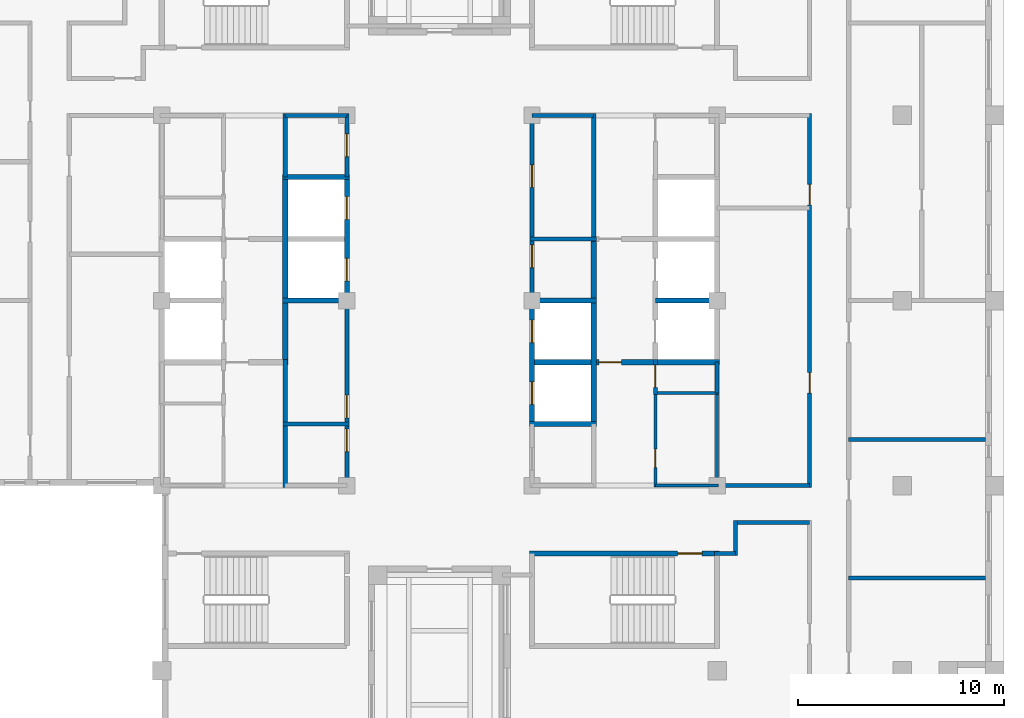
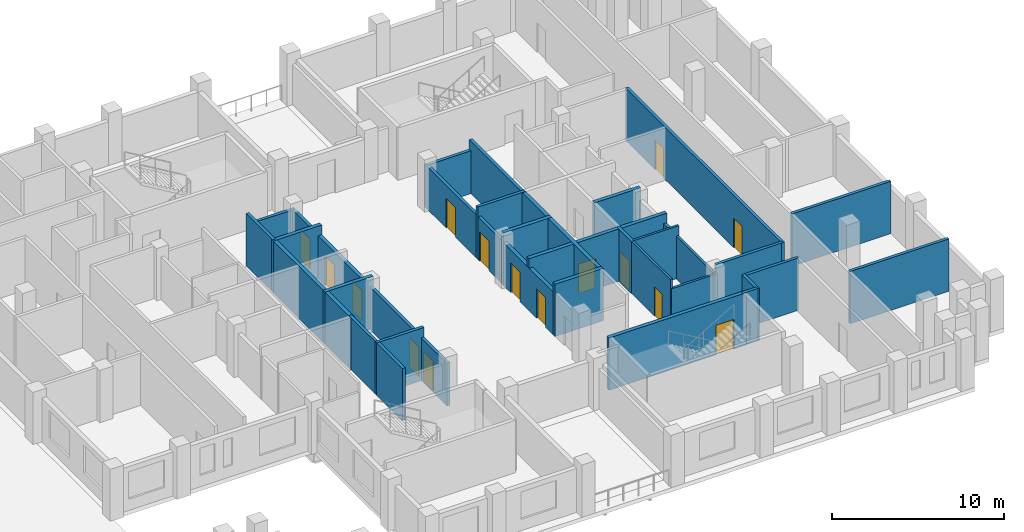
# One storey, part 4 of 10: 34 walls, 15 doors, 15 openings.
"""IFC4 building model written with IfcOpenShell, lengths in metres."""

from ifc_helpers import new_model, si_unit, direction, frame, frame_2d, origin, place, context, subcontext, project, spatial, rectangle, extrude, material, layer, layer_set, type_object, element, fill, save


model = new_model("IFC4")

# Units and contexts
model_context = context("Model", 3, precision=1e-05, world=origin(), true_north=direction((0.0, 1.0)))
body_context = subcontext(model_context, "Body", "Model", "MODEL_VIEW")
ifc_project = project(units=[si_unit("LENGTHUNIT", "METRE"), si_unit("AREAUNIT", "SQUARE_METRE"), si_unit("VOLUMEUNIT", "CUBIC_METRE"), si_unit("PLANEANGLEUNIT", "RADIAN"), si_unit("MASSUNIT", "GRAM", prefix="KILO")], contexts=[model_context])

# Site, building, storey
site_placement = place(None, origin())
site = spatial("IfcSite", under=ifc_project, at=site_placement, CompositionType="ELEMENT")
building_placement = place(site_placement, origin())
building = spatial("IfcBuilding", under=site, at=building_placement, Name="Corbelhall Arena Tower", CompositionType="ELEMENT")
storey_placement = place(building_placement, frame((0.0, 0.0, 242.0)))
storey = spatial("IfcBuildingStorey", under=building, at=storey_placement, Name="L51", CompositionType="ELEMENT", Elevation=242.0)

# Walls
ifc_material_1 = material(Name="Gypsum board on steel stud, acoustic", Category="steel")
ifc_layer_1 = layer(ifc_material_1, 0.199951171875)
ifc_layer_set_1 = layer_set([ifc_layer_1], Name="IN-W-DM200")
wall_type_1 = type_object("IfcWallType", Name="IN-W-DM200", PredefinedType="PARTITIONING", material=ifc_layer_set_1)
wall_1_placement = place(storey_placement, frame((13.5, -9.0, 0.0), z_axis=(0.0, 0.0, 1.0), x_axis=(1.0, 0.0, 0.0)))
element("IfcWall", 1, at=wall_1_placement, inside=storey, type_object=wall_type_1, Name="Partition 022", PredefinedType="PARTITIONING", context=body_context, shape_type="SweptSolid", body=[
    extrude(rectangle(XDim=4.5, YDim=0.199951171875, at=frame_2d((2.25, 0.0))), origin(), (0.0, 0.0, 1.0), 3.719970703125),
])
wall_2_placement = place(storey_placement, frame((14.39990234375, -12.300048828125, 0.0), z_axis=(0.0, 0.0, 1.0), x_axis=(-1.0, 0.0, 0.0)))
element("IfcWall", 2, at=wall_2_placement, inside=storey, type_object=wall_type_1, Name="Partition 024", PredefinedType="PARTITIONING", context=body_context, shape_type="SweptSolid", body=[
    extrude(rectangle(XDim=1.02490234375, YDim=0.199951171875, at=frame_2d((0.512451171875, 0.0))), origin(), (0.0, 0.0, 1.0), 3.719970703125),
])
wall_3_placement = place(storey_placement, frame((14.39990234375, -10.699951171875, 0.0), z_axis=(0.0, 0.0, 1.0), x_axis=(0.0, -1.0, 0.0)))
element("IfcWall", 3, at=wall_3_placement, inside=storey, type_object=wall_type_1, Name="Partition 025", PredefinedType="PARTITIONING", context=body_context, shape_type="SweptSolid", body=[
    extrude(rectangle(XDim=1.699951171875, YDim=0.199951171875, at=frame_2d((0.85009765625, 0.0))), origin(), (0.0, 0.0, 1.0), 3.719970703125),
])
wall_4_placement = place(storey_placement, frame((18.0, -10.800048828125, 0.0), z_axis=(0.0, 0.0, 1.0), x_axis=(-1.0, 0.0, 0.0)))
element("IfcWall", 4, at=wall_4_placement, inside=storey, type_object=wall_type_1, Name="Partition 030", PredefinedType="PARTITIONING", context=body_context, shape_type="SweptSolid", body=[
    extrude(rectangle(XDim=3.60009765625, YDim=0.199951171875, at=frame_2d((1.800048828125, 0.0))), origin(), (0.0, 0.0, 1.0), 3.719970703125),
])

# Wall, openings, doors
wall_5_placement = place(storey_placement, frame((18.0, -9.10009765625, 0.0), z_axis=(0.0, 0.0, 1.0), x_axis=(0.0, 1.0, 0.0)))
wall_5 = element("IfcWall", 5, at=wall_5_placement, inside=storey, type_object=wall_type_1, Name="Partition 031", PredefinedType="PARTITIONING", context=body_context, shape_type="SweptSolid", body=[
    extrude(rectangle(XDim=18.2001953125, YDim=0.199951171875, at=frame_2d((9.10009765625, 0.0))), origin(), (0.0, 0.0, 1.0), 3.719970703125),
])
opening_1_placement = place(wall_5_placement, frame((4.60009765625, 0.0, 0.0)))
opening_1 = element("IfcOpeningElement", 6, at=opening_1_placement, cuts=wall_5, Name="Opening 16023", PredefinedType="OPENING", context=body_context, shape_type="SweptSolid", body=[
    extrude(rectangle(XDim=1.0, YDim=2.10009765625, at=frame_2d((0.5, 1.050048828125))), frame((0.0, 0.10009765625, 0.0), z_axis=(0.0, -1.0, 0.0), x_axis=(1.0, 0.0, 0.0)), (0.0, 0.0, 1.0), 0.199951171875),
])
opening_2_placement = place(wall_5_placement, frame((13.75, 0.0, 0.0)))
opening_2 = element("IfcOpeningElement", 7, at=opening_2_placement, cuts=wall_5, Name="Opening 16024", PredefinedType="OPENING", context=body_context, shape_type="SweptSolid", body=[
    extrude(rectangle(XDim=1.0, YDim=2.10009765625, at=frame_2d((0.5, 1.050048828125))), frame((0.0, 0.10009765625, 0.0), z_axis=(0.0, -1.0, 0.0), x_axis=(1.0, 0.0, 0.0)), (0.0, 0.0, 1.0), 0.199951171875),
])
ifc_material_2 = material(Name="Steel door set", Category="steel")
door_type_1 = type_object("IfcDoorType", Name="IN-D-SW100", OperationType="NOTDEFINED", PredefinedType="DOOR", material=ifc_material_2)
door_1_placement = place(opening_1_placement, origin())
door_1 = element("IfcDoor", 8, at=door_1_placement, inside=storey, type_object=door_type_1, Name="Door 023", OperationType="SINGLE_SWING_RIGHT", OverallHeight=2.10009765625, OverallWidth=1.0, PredefinedType="DOOR", context=body_context, shape_type="SweptSolid", body=[
    extrude(rectangle(XDim=1.0, YDim=2.10009765625, at=frame_2d((0.5, 1.050048828125))), frame((0.0, 0.02490234375, 0.0), z_axis=(0.0, -1.0, 0.0), x_axis=(1.0, 0.0, 0.0)), (0.0, 0.0, 1.0), 0.050048828125),
])
fill(opening_1, door_1)
door_2_placement = place(opening_2_placement, origin())
door_2 = element("IfcDoor", 9, at=door_2_placement, inside=storey, type_object=door_type_1, Name="Door 024", OperationType="SINGLE_SWING_LEFT", OverallHeight=2.10009765625, OverallWidth=1.0, PredefinedType="DOOR", context=body_context, shape_type="SweptSolid", body=[
    extrude(rectangle(XDim=1.0, YDim=2.10009765625, at=frame_2d((0.5, 1.050048828125))), frame((0.0, 0.02490234375, 0.0), z_axis=(0.0, -1.0, 0.0), x_axis=(1.0, 0.0, 0.0)), (0.0, 0.0, 1.0), 0.050048828125),
])
fill(opening_2, door_2)

# Walls
for number, where, z_axis, x_axis, name in (
    (10, (19.89990234375, -13.5, 0.0), (0.0, 0.0, 1.0), (1.0, 0.0, 0.0), "Partition 033"),
    (11, (19.89990234375, -6.75, 0.0), (0.0, 0.0, 1.0), (1.0, 0.0, 0.0), "Partition 035"),
):
    element("IfcWall", number, at=place(storey_placement, frame(where, z_axis=z_axis, x_axis=x_axis)), inside=storey, type_object=wall_type_1, Name=name, PredefinedType="PARTITIONING", context=body_context, shape_type="SweptSolid", body=[
        extrude(rectangle(XDim=6.650146484375, YDim=0.199951171875, at=frame_2d((3.3251953125, 0.0))), origin(), (0.0, 0.0, 1.0), 3.719970703125),
    ])
ifc_material_3 = material(Name="Concrete block wall", Category="concrete")
ifc_layer_2 = layer(ifc_material_3, 0.199951171875)
ifc_layer_set_2 = layer_set([ifc_layer_2], Name="IN-W-RS200")
wall_type_2 = type_object("IfcWallType", Name="IN-W-RS200", PredefinedType="SOLIDWALL", material=ifc_layer_set_2)
wall_6_placement = place(storey_placement, frame((-7.60009765625, -6.0, 0.0), z_axis=(0.0, 0.0, 1.0), x_axis=(1.0, 0.0, 0.0)))
element("IfcWall", 12, at=wall_6_placement, inside=storey, type_object=wall_type_2, Name="Partition 044", PredefinedType="SOLIDWALL", context=body_context, shape_type="SweptSolid", body=[
    extrude(rectangle(XDim=3.2001953125, YDim=0.199951171875, at=frame_2d((1.60009765625, 0.0))), origin(), (0.0, 0.0, 1.0), 3.719970703125),
])
wall_7_placement = place(storey_placement, frame((-7.5, -9.10009765625, 0.0), z_axis=(0.0, 0.0, 1.0), x_axis=(0.0, 1.0, 0.0)))
element("IfcWall", 13, at=wall_7_placement, inside=storey, type_object=wall_type_2, Name="Partition 045", PredefinedType="SOLIDWALL", context=body_context, shape_type="SweptSolid", body=[
    extrude(rectangle(XDim=6.22509765625, YDim=0.199951171875, at=frame_2d((3.112548828125, 0.0))), origin(), (0.0, 0.0, 1.0), 3.719970703125),
])
wall_8_placement = place(storey_placement, frame((-7.5, 6.0, 0.0), z_axis=(0.0, 0.0, 1.0), x_axis=(0.0, 1.0, 0.0)))
element("IfcWall", 14, at=wall_8_placement, inside=storey, type_object=wall_type_2, Name="Partition 046", PredefinedType="SOLIDWALL", context=body_context, shape_type="SweptSolid", body=[
    extrude(rectangle(XDim=3.10009765625, YDim=0.199951171875, at=frame_2d((1.550048828125, 0.0))), origin(), (0.0, 0.0, 1.0), 3.719970703125),
])
wall_9_placement = place(storey_placement, frame((4.39990234375, 3.0, 0.0), z_axis=(0.0, 0.0, 1.0), x_axis=(1.0, 0.0, 0.0)))
element("IfcWall", 15, at=wall_9_placement, inside=storey, type_object=wall_type_2, Name="Partition 051", PredefinedType="SOLIDWALL", context=body_context, shape_type="SweptSolid", body=[
    extrude(rectangle(XDim=3.22509765625, YDim=0.199951171875, at=frame_2d((1.612548828125, 0.0))), origin(), (0.0, 0.0, 1.0), 3.719970703125),
])
wall_10_placement = place(storey_placement, frame((7.5, 9.10009765625, 0.0), z_axis=(0.0, 0.0, 1.0), x_axis=(0.0, -1.0, 0.0)))
element("IfcWall", 16, at=wall_10_placement, inside=storey, type_object=wall_type_2, Name="Partition 057", PredefinedType="SOLIDWALL", context=body_context, shape_type="SweptSolid", body=[
    extrude(rectangle(XDim=6.22509765625, YDim=0.199951171875, at=frame_2d((3.112548828125, 0.0))), origin(), (0.0, 0.0, 1.0), 3.719970703125),
])

# Wall, opening, door
wall_11_placement = place(storey_placement, frame((10.5, -2.875, 0.0), z_axis=(0.0, 0.0, 1.0), x_axis=(0.0, -1.0, 0.0)))
wall_11 = element("IfcWall", 17, at=wall_11_placement, inside=storey, type_object=wall_type_2, Name="Partition 058", PredefinedType="SOLIDWALL", context=body_context, shape_type="SweptSolid", body=[
    extrude(rectangle(XDim=1.699951171875, YDim=0.199951171875, at=frame_2d((0.85009765625, 0.0))), origin(), (0.0, 0.0, 1.0), 3.719970703125),
])
opening_3_placement = place(wall_11_placement, frame((0.25, 0.0, 0.0)))
opening_3 = element("IfcOpeningElement", 18, at=opening_3_placement, cuts=wall_11, Name="Opening 16015", PredefinedType="OPENING", context=body_context, shape_type="SweptSolid", body=[
    extrude(rectangle(XDim=1.10009765625, YDim=2.10009765625, at=frame_2d((0.550048828125, 1.050048828125))), frame((0.0, 0.10009765625, 0.0), z_axis=(0.0, -1.0, 0.0), x_axis=(1.0, 0.0, 0.0)), (0.0, 0.0, 1.0), 0.199951171875),
])
door_type_2 = type_object("IfcDoorType", Name="IN-D-FD110", OperationType="NOTDEFINED", PredefinedType="DOOR", material=ifc_material_2)
door_3_placement = place(opening_3_placement, origin())
door_3 = element("IfcDoor", 19, at=door_3_placement, inside=storey, type_object=door_type_2, Name="Door 015", OperationType="SINGLE_SWING_RIGHT", OverallHeight=2.10009765625, OverallWidth=1.10009765625, PredefinedType="DOOR", context=body_context, shape_type="SweptSolid", body=[
    extrude(rectangle(XDim=1.10009765625, YDim=2.10009765625, at=frame_2d((0.550048828125, 1.050048828125))), frame((0.0, 0.02490234375, 0.0), z_axis=(0.0, -1.0, 0.0), x_axis=(1.0, 0.0, 0.0)), (0.0, 0.0, 1.0), 0.050048828125),
])
fill(opening_3, door_3)

# Wall
ifc_layer_3 = layer(ifc_material_3, 0.199951171875)
ifc_layer_set_3 = layer_set([ifc_layer_3], Name="IN-W-RS200 under beam 678 mm")
wall_type_3 = type_object("IfcWallType", Name="IN-W-RS200 under beam 678 mm", PredefinedType="SOLIDWALL", material=ifc_layer_set_3)
wall_12_placement = place(storey_placement, frame((-7.5, 9.0, 0.0), z_axis=(0.0, 0.0, 1.0), x_axis=(1.0, 0.0, 0.0)))
element("IfcWall", 20, at=wall_12_placement, inside=storey, type_object=wall_type_3, Name="Partition 047", PredefinedType="SOLIDWALL", context=body_context, shape_type="SweptSolid", body=[
    extrude(rectangle(XDim=3.0, YDim=0.199951171875, at=frame_2d((1.5, 0.0))), origin(), (0.0, 0.0, 1.0), 3.041748046875),
])

# Wall, openings, doors
wall_13_placement = place(storey_placement, frame((-4.5, 0.0, 0.0), z_axis=(0.0, 0.0, 1.0), x_axis=(0.0, -1.0, 0.0)))
wall_13 = element("IfcWall", 21, at=wall_13_placement, inside=storey, type_object=wall_type_3, Name="Partition 049", PredefinedType="SOLIDWALL", context=body_context, shape_type="SweptSolid", body=[
    extrude(rectangle(XDim=9.10009765625, YDim=0.199951171875, at=frame_2d((4.550048828125, 0.0))), origin(), (0.0, 0.0, 1.0), 3.041748046875),
])
opening_4_placement = place(wall_13_placement, frame((6.25, 0.0, 0.0)))
opening_4 = element("IfcOpeningElement", 22, at=opening_4_placement, cuts=wall_13, Name="Opening 16001", PredefinedType="OPENING", context=body_context, shape_type="SweptSolid", body=[
    extrude(rectangle(XDim=1.10009765625, YDim=2.10009765625, at=frame_2d((0.550048828125, 1.050048828125))), frame((0.0, 0.10009765625, 0.0), z_axis=(0.0, -1.0, 0.0), x_axis=(1.0, 0.0, 0.0)), (0.0, 0.0, 1.0), 0.199951171875),
])
opening_5_placement = place(wall_13_placement, frame((4.60009765625, 0.0, 0.0)))
opening_5 = element("IfcOpeningElement", 23, at=opening_5_placement, cuts=wall_13, Name="Opening 16002", PredefinedType="OPENING", context=body_context, shape_type="SweptSolid", body=[
    extrude(rectangle(XDim=1.10009765625, YDim=2.10009765625, at=frame_2d((0.550048828125, 1.050048828125))), frame((0.0, 0.10009765625, 0.0), z_axis=(0.0, -1.0, 0.0), x_axis=(1.0, 0.0, 0.0)), (0.0, 0.0, 1.0), 0.199951171875),
])
door_4_placement = place(opening_4_placement, origin())
door_4 = element("IfcDoor", 24, at=door_4_placement, inside=storey, type_object=door_type_2, Name="Door 001", OperationType="SINGLE_SWING_RIGHT", OverallHeight=2.10009765625, OverallWidth=1.10009765625, PredefinedType="DOOR", context=body_context, shape_type="SweptSolid", body=[
    extrude(rectangle(XDim=1.10009765625, YDim=2.10009765625, at=frame_2d((0.550048828125, 1.050048828125))), frame((0.0, 0.02490234375, 0.0), z_axis=(0.0, -1.0, 0.0), x_axis=(1.0, 0.0, 0.0)), (0.0, 0.0, 1.0), 0.050048828125),
])
fill(opening_4, door_4)
door_5_placement = place(opening_5_placement, origin())
door_5 = element("IfcDoor", 25, at=door_5_placement, inside=storey, type_object=door_type_2, Name="Door 002", OperationType="SINGLE_SWING_LEFT", OverallHeight=2.10009765625, OverallWidth=1.10009765625, PredefinedType="DOOR", context=body_context, shape_type="SweptSolid", body=[
    extrude(rectangle(XDim=1.10009765625, YDim=2.10009765625, at=frame_2d((0.550048828125, 1.050048828125))), frame((0.0, 0.02490234375, 0.0), z_axis=(0.0, -1.0, 0.0), x_axis=(1.0, 0.0, 0.0)), (0.0, 0.0, 1.0), 0.050048828125),
])
fill(opening_5, door_5)

# Wall, opening, door
wall_14_placement = place(storey_placement, frame((-4.5, 9.10009765625, 0.0), z_axis=(0.0, 0.0, 1.0), x_axis=(0.0, -1.0, 0.0)))
wall_14 = element("IfcWall", 26, at=wall_14_placement, inside=storey, type_object=wall_type_3, Name="Partition 050", PredefinedType="SOLIDWALL", context=body_context, shape_type="SweptSolid", body=[
    extrude(rectangle(XDim=3.10009765625, YDim=0.199951171875, at=frame_2d((1.550048828125, 0.0))), origin(), (0.0, 0.0, 1.0), 3.041748046875),
])
opening_6_placement = place(wall_14_placement, frame((1.0, 0.0, 0.0)))
opening_6 = element("IfcOpeningElement", 27, at=opening_6_placement, cuts=wall_14, Name="Opening 16003", PredefinedType="OPENING", context=body_context, shape_type="SweptSolid", body=[
    extrude(rectangle(XDim=1.10009765625, YDim=2.10009765625, at=frame_2d((0.550048828125, 1.050048828125))), frame((0.0, 0.10009765625, 0.0), z_axis=(0.0, -1.0, 0.0), x_axis=(1.0, 0.0, 0.0)), (0.0, 0.0, 1.0), 0.199951171875),
])
door_6_placement = place(opening_6_placement, origin())
door_6 = element("IfcDoor", 28, at=door_6_placement, inside=storey, type_object=door_type_2, Name="Door 003", OperationType="SINGLE_SWING_RIGHT", OverallHeight=2.10009765625, OverallWidth=1.10009765625, PredefinedType="DOOR", context=body_context, shape_type="SweptSolid", body=[
    extrude(rectangle(XDim=1.10009765625, YDim=2.10009765625, at=frame_2d((0.550048828125, 1.050048828125))), frame((0.0, 0.02490234375, 0.0), z_axis=(0.0, -1.0, 0.0), x_axis=(1.0, 0.0, 0.0)), (0.0, 0.0, 1.0), 0.050048828125),
])
fill(opening_6, door_6)

# Wall, openings, doors
wall_15_placement = place(storey_placement, frame((4.5, 0.0, 0.0), z_axis=(0.0, 0.0, 1.0), x_axis=(0.0, 1.0, 0.0)))
wall_15 = element("IfcWall", 29, at=wall_15_placement, inside=storey, type_object=wall_type_3, Name="Partition 053", PredefinedType="SOLIDWALL", context=body_context, shape_type="SweptSolid", body=[
    extrude(rectangle(XDim=9.10009765625, YDim=0.199951171875, at=frame_2d((4.550048828125, 0.0))), origin(), (0.0, 0.0, 1.0), 3.041748046875),
])
opening_7_placement = place(wall_15_placement, frame((1.60009765625, 0.0, 0.0)))
opening_7 = element("IfcOpeningElement", 30, at=opening_7_placement, cuts=wall_15, Name="Opening 16010", PredefinedType="OPENING", context=body_context, shape_type="SweptSolid", body=[
    extrude(rectangle(XDim=1.10009765625, YDim=2.10009765625, at=frame_2d((0.550048828125, 1.050048828125))), frame((0.0, 0.10009765625, 0.0), z_axis=(0.0, -1.0, 0.0), x_axis=(1.0, 0.0, 0.0)), (0.0, 0.0, 1.0), 0.199951171875),
])
opening_8_placement = place(wall_15_placement, frame((5.5, 0.0, 0.0)))
opening_8 = element("IfcOpeningElement", 31, at=opening_8_placement, cuts=wall_15, Name="Opening 16011", PredefinedType="OPENING", context=body_context, shape_type="SweptSolid", body=[
    extrude(rectangle(XDim=1.10009765625, YDim=2.10009765625, at=frame_2d((0.550048828125, 1.050048828125))), frame((0.0, 0.10009765625, 0.0), z_axis=(0.0, -1.0, 0.0), x_axis=(1.0, 0.0, 0.0)), (0.0, 0.0, 1.0), 0.199951171875),
])
door_7_placement = place(opening_7_placement, origin())
door_7 = element("IfcDoor", 32, at=door_7_placement, inside=storey, type_object=door_type_2, Name="Door 010", OperationType="SINGLE_SWING_LEFT", OverallHeight=2.10009765625, OverallWidth=1.10009765625, PredefinedType="DOOR", context=body_context, shape_type="SweptSolid", body=[
    extrude(rectangle(XDim=1.10009765625, YDim=2.10009765625, at=frame_2d((0.550048828125, 1.050048828125))), frame((0.0, 0.02490234375, 0.0), z_axis=(0.0, -1.0, 0.0), x_axis=(1.0, 0.0, 0.0)), (0.0, 0.0, 1.0), 0.050048828125),
])
fill(opening_7, door_7)
door_8_placement = place(opening_8_placement, origin())
door_8 = element("IfcDoor", 33, at=door_8_placement, inside=storey, type_object=door_type_2, Name="Door 011", OperationType="SINGLE_SWING_RIGHT", OverallHeight=2.10009765625, OverallWidth=1.10009765625, PredefinedType="DOOR", context=body_context, shape_type="SweptSolid", body=[
    extrude(rectangle(XDim=1.10009765625, YDim=2.10009765625, at=frame_2d((0.550048828125, 1.050048828125))), frame((0.0, 0.02490234375, 0.0), z_axis=(0.0, -1.0, 0.0), x_axis=(1.0, 0.0, 0.0)), (0.0, 0.0, 1.0), 0.050048828125),
])
fill(opening_8, door_8)

# Walls
wall_16_placement = place(storey_placement, frame((4.5, 9.0, 0.0), z_axis=(0.0, 0.0, 1.0), x_axis=(1.0, 0.0, 0.0)))
element("IfcWall", 34, at=wall_16_placement, inside=storey, type_object=wall_type_3, Name="Partition 054", PredefinedType="SOLIDWALL", context=body_context, shape_type="SweptSolid", body=[
    extrude(rectangle(XDim=3.0, YDim=0.199951171875, at=frame_2d((1.5, 0.0))), origin(), (0.0, 0.0, 1.0), 3.041748046875),
])
wall_17_placement = place(storey_placement, frame((13.5, -3.0, 0.0), z_axis=(0.0, 0.0, 1.0), x_axis=(0.0, -1.0, 0.0)))
element("IfcWall", 35, at=wall_17_placement, inside=storey, type_object=wall_type_3, Name="Partition 061", PredefinedType="SOLIDWALL", context=body_context, shape_type="SweptSolid", body=[
    extrude(rectangle(XDim=1.5, YDim=0.199951171875, at=frame_2d((0.75, 0.0))), origin(), (0.0, 0.0, 1.0), 3.041748046875),
])
ifc_material_4 = material(Name="Concrete C40/50", Category="concrete")
ifc_layer_4 = layer(ifc_material_4, 0.25)
ifc_layer_set_4 = layer_set([ifc_layer_4], Name="IN-W-SH250")
wall_type_4 = type_object("IfcWallType", Name="IN-W-SH250", PredefinedType="SOLIDWALL", material=ifc_layer_set_4)
for number, where, z_axis, x_axis, name in (
    (36, (-7.625, 0.0, 0.0), (0.0, 0.0, 1.0), (1.0, 0.0, 0.0), "Shaft wall 068"),
    (37, (-7.625, 6.0, 0.0), (0.0, 0.0, 1.0), (1.0, 0.0, 0.0), "Shaft wall 069"),
):
    element("IfcWall", number, at=place(storey_placement, frame(where, z_axis=z_axis, x_axis=x_axis)), inside=storey, type_object=wall_type_4, Name=name, PredefinedType="SOLIDWALL", context=body_context, shape_type="SweptSolid", body=[
        extrude(rectangle(XDim=3.25, YDim=0.25, at=frame_2d((1.625, 0.0))), origin(), (0.0, 0.0, 1.0), 3.719970703125),
    ])
wall_18_placement = place(storey_placement, frame((-7.5, -3.125, 0.0), z_axis=(0.0, 0.0, 1.0), x_axis=(0.0, 1.0, 0.0)))
element("IfcWall", 38, at=wall_18_placement, inside=storey, type_object=wall_type_4, Name="Shaft wall 070", PredefinedType="SOLIDWALL", context=body_context, shape_type="SweptSolid", body=[
    extrude(rectangle(XDim=9.125, YDim=0.25, at=frame_2d((4.5625, 0.0))), origin(), (0.0, 0.0, 1.0), 3.719970703125),
])
wall_19_placement = place(storey_placement, frame((4.375, -6.0, 0.0), z_axis=(0.0, 0.0, 1.0), x_axis=(1.0, 0.0, 0.0)))
element("IfcWall", 39, at=wall_19_placement, inside=storey, type_object=wall_type_4, Name="Shaft wall 072", PredefinedType="SOLIDWALL", context=body_context, shape_type="SweptSolid", body=[
    extrude(rectangle(XDim=3.25, YDim=0.25, at=frame_2d((1.625, 0.0))), origin(), (0.0, 0.0, 1.0), 3.719970703125),
])

# Wall, opening, door
wall_20_placement = place(storey_placement, frame((4.375, -3.0, 0.0), z_axis=(0.0, 0.0, 1.0), x_axis=(1.0, 0.0, 0.0)))
wall_20 = element("IfcWall", 40, at=wall_20_placement, inside=storey, type_object=wall_type_4, Name="Shaft wall 073", PredefinedType="SOLIDWALL", context=body_context, shape_type="SweptSolid", body=[
    extrude(rectangle(XDim=9.25, YDim=0.25, at=frame_2d((4.625, 0.0))), origin(), (0.0, 0.0, 1.0), 3.719970703125),
])
opening_9_placement = place(wall_20_placement, frame((3.375, 0.0, 0.0)))
opening_9 = element("IfcOpeningElement", 41, at=opening_9_placement, cuts=wall_20, Name="Opening 16012", PredefinedType="OPENING", context=body_context, shape_type="SweptSolid", body=[
    extrude(rectangle(XDim=1.10009765625, YDim=2.10009765625, at=frame_2d((0.550048828125, 1.050048828125))), frame((0.0, 0.125, 0.0), z_axis=(0.0, -1.0, 0.0), x_axis=(1.0, 0.0, 0.0)), (0.0, 0.0, 1.0), 0.25),
])
door_9_placement = place(opening_9_placement, origin())
door_9 = element("IfcDoor", 42, at=door_9_placement, inside=storey, type_object=door_type_2, Name="Door 012", OperationType="SINGLE_SWING_LEFT", OverallHeight=2.10009765625, OverallWidth=1.10009765625, PredefinedType="DOOR", context=body_context, shape_type="SweptSolid", body=[
    extrude(rectangle(XDim=1.10009765625, YDim=2.10009765625, at=frame_2d((0.550048828125, 1.050048828125))), frame((0.0, 0.02490234375, 0.0), z_axis=(0.0, -1.0, 0.0), x_axis=(1.0, 0.0, 0.0)), (0.0, 0.0, 1.0), 0.050048828125),
])
fill(opening_9, door_9)

# Walls
wall_21_placement = place(storey_placement, frame((4.375, 0.0, 0.0), z_axis=(0.0, 0.0, 1.0), x_axis=(1.0, 0.0, 0.0)))
element("IfcWall", 43, at=wall_21_placement, inside=storey, type_object=wall_type_4, Name="Shaft wall 074", PredefinedType="SOLIDWALL", context=body_context, shape_type="SweptSolid", body=[
    extrude(rectangle(XDim=3.25, YDim=0.25, at=frame_2d((1.625, 0.0))), origin(), (0.0, 0.0, 1.0), 3.719970703125),
])
wall_22_placement = place(storey_placement, frame((7.5, 3.125, 0.0), z_axis=(0.0, 0.0, 1.0), x_axis=(0.0, -1.0, 0.0)))
element("IfcWall", 44, at=wall_22_placement, inside=storey, type_object=wall_type_4, Name="Shaft wall 076", PredefinedType="SOLIDWALL", context=body_context, shape_type="SweptSolid", body=[
    extrude(rectangle(XDim=9.125, YDim=0.25, at=frame_2d((4.5625, 0.0))), origin(), (0.0, 0.0, 1.0), 3.719970703125),
])
wall_23_placement = place(storey_placement, frame((10.5, 0.0, 0.0), z_axis=(0.0, 0.0, 1.0), x_axis=(1.0, 0.0, 0.0)))
element("IfcWall", 45, at=wall_23_placement, inside=storey, type_object=wall_type_4, Name="Shaft wall 078", PredefinedType="SOLIDWALL", context=body_context, shape_type="SweptSolid", body=[
    extrude(rectangle(XDim=3.125, YDim=0.25, at=frame_2d((1.5625, 0.0))), origin(), (0.0, 0.0, 1.0), 3.719970703125),
])

# Wall, openings, doors
ifc_layer_5 = layer(ifc_material_4, 0.25)
ifc_layer_set_5 = layer_set([ifc_layer_5], Name="IN-W-SH250 under beam 678 mm")
wall_type_5 = type_object("IfcWallType", Name="IN-W-SH250 under beam 678 mm", PredefinedType="SOLIDWALL", material=ifc_layer_set_5)
wall_24_placement = place(storey_placement, frame((-4.5, 6.0, 0.0), z_axis=(0.0, 0.0, 1.0), x_axis=(0.0, -1.0, 0.0)))
wall_24 = element("IfcWall", 46, at=wall_24_placement, inside=storey, type_object=wall_type_5, Name="Shaft wall 071", PredefinedType="SOLIDWALL", context=body_context, shape_type="SweptSolid", body=[
    extrude(rectangle(XDim=6.0, YDim=0.25, at=frame_2d((3.0, 0.0))), origin(), (0.0, 0.0, 1.0), 3.041748046875),
])
opening_10_placement = place(wall_24_placement, frame((3.949951171875, 0.0, 0.0)))
opening_10 = element("IfcOpeningElement", 47, at=opening_10_placement, cuts=wall_24, Name="Opening LD", PredefinedType="OPENING", context=body_context, shape_type="SweptSolid", body=[
    extrude(rectangle(XDim=1.10009765625, YDim=2.10009765625, at=frame_2d((0.550048828125, 1.050048828125))), frame((0.0, 0.125, 0.0), z_axis=(0.0, -1.0, 0.0), x_axis=(1.0, 0.0, 0.0)), (0.0, 0.0, 1.0), 0.25),
])
opening_11_placement = place(wall_24_placement, frame((0.949951171875, 0.0, 0.0)))
opening_11 = element("IfcOpeningElement", 48, at=opening_11_placement, cuts=wall_24, Name="Opening LD", PredefinedType="OPENING", context=body_context, shape_type="SweptSolid", body=[
    extrude(rectangle(XDim=1.10009765625, YDim=2.10009765625, at=frame_2d((0.550048828125, 1.050048828125))), frame((0.0, 0.125, 0.0), z_axis=(0.0, -1.0, 0.0), x_axis=(1.0, 0.0, 0.0)), (0.0, 0.0, 1.0), 0.25),
])
door_type_3 = type_object("IfcDoorType", Name="IN-D-LD110", OperationType="NOTDEFINED", PredefinedType="DOOR", material=ifc_material_2)
door_10_placement = place(opening_10_placement, origin())
door_10 = element("IfcDoor", 49, at=door_10_placement, inside=storey, type_object=door_type_3, Name="Landing door W4", OperationType="SLIDING_TO_LEFT", OverallHeight=2.10009765625, OverallWidth=1.10009765625, PredefinedType="DOOR", context=body_context, shape_type="SweptSolid", body=[
    extrude(rectangle(XDim=1.10009765625, YDim=2.10009765625, at=frame_2d((0.550048828125, 1.050048828125))), frame((0.0, 0.02490234375, 0.0), z_axis=(0.0, -1.0, 0.0), x_axis=(1.0, 0.0, 0.0)), (0.0, 0.0, 1.0), 0.050048828125),
])
fill(opening_10, door_10)
door_11_placement = place(opening_11_placement, origin())
door_11 = element("IfcDoor", 50, at=door_11_placement, inside=storey, type_object=door_type_3, Name="Landing door W5", OperationType="SLIDING_TO_LEFT", OverallHeight=2.10009765625, OverallWidth=1.10009765625, PredefinedType="DOOR", context=body_context, shape_type="SweptSolid", body=[
    extrude(rectangle(XDim=1.10009765625, YDim=2.10009765625, at=frame_2d((0.550048828125, 1.050048828125))), frame((0.0, 0.02490234375, 0.0), z_axis=(0.0, -1.0, 0.0), x_axis=(1.0, 0.0, 0.0)), (0.0, 0.0, 1.0), 0.050048828125),
])
fill(opening_11, door_11)

wall_25_placement = place(storey_placement, frame((4.5, -6.0, 0.0), z_axis=(0.0, 0.0, 1.0), x_axis=(0.0, 1.0, 0.0)))
wall_25 = element("IfcWall", 51, at=wall_25_placement, inside=storey, type_object=wall_type_5, Name="Shaft wall 075", PredefinedType="SOLIDWALL", context=body_context, shape_type="SweptSolid", body=[
    extrude(rectangle(XDim=6.0, YDim=0.25, at=frame_2d((3.0, 0.0))), origin(), (0.0, 0.0, 1.0), 3.041748046875),
])
opening_12_placement = place(wall_25_placement, frame((0.949951171875, 0.0, 0.0)))
opening_12 = element("IfcOpeningElement", 52, at=opening_12_placement, cuts=wall_25, Name="Opening LD", PredefinedType="OPENING", context=body_context, shape_type="SweptSolid", body=[
    extrude(rectangle(XDim=1.10009765625, YDim=2.10009765625, at=frame_2d((0.550048828125, 1.050048828125))), frame((0.0, 0.125, 0.0), z_axis=(0.0, -1.0, 0.0), x_axis=(1.0, 0.0, 0.0)), (0.0, 0.0, 1.0), 0.25),
])
opening_13_placement = place(wall_25_placement, frame((3.949951171875, 0.0, 0.0)))
opening_13 = element("IfcOpeningElement", 53, at=opening_13_placement, cuts=wall_25, Name="Opening LD", PredefinedType="OPENING", context=body_context, shape_type="SweptSolid", body=[
    extrude(rectangle(XDim=1.10009765625, YDim=2.10009765625, at=frame_2d((0.550048828125, 1.050048828125))), frame((0.0, 0.125, 0.0), z_axis=(0.0, -1.0, 0.0), x_axis=(1.0, 0.0, 0.0)), (0.0, 0.0, 1.0), 0.25),
])
door_12_placement = place(opening_12_placement, origin())
door_12 = element("IfcDoor", 54, at=door_12_placement, inside=storey, type_object=door_type_3, Name="Landing door E2", OperationType="SLIDING_TO_LEFT", OverallHeight=2.10009765625, OverallWidth=1.10009765625, PredefinedType="DOOR", context=body_context, shape_type="SweptSolid", body=[
    extrude(rectangle(XDim=1.10009765625, YDim=2.10009765625, at=frame_2d((0.550048828125, 1.050048828125))), frame((0.0, 0.02490234375, 0.0), z_axis=(0.0, -1.0, 0.0), x_axis=(1.0, 0.0, 0.0)), (0.0, 0.0, 1.0), 0.050048828125),
])
fill(opening_12, door_12)
door_13_placement = place(opening_13_placement, origin())
door_13 = element("IfcDoor", 55, at=door_13_placement, inside=storey, type_object=door_type_3, Name="Landing door E3", OperationType="SLIDING_TO_LEFT", OverallHeight=2.10009765625, OverallWidth=1.10009765625, PredefinedType="DOOR", context=body_context, shape_type="SweptSolid", body=[
    extrude(rectangle(XDim=1.10009765625, YDim=2.10009765625, at=frame_2d((0.550048828125, 1.050048828125))), frame((0.0, 0.02490234375, 0.0), z_axis=(0.0, -1.0, 0.0), x_axis=(1.0, 0.0, 0.0)), (0.0, 0.0, 1.0), 0.050048828125),
])
fill(opening_13, door_13)

# Wall, opening, door
ifc_layer_6 = layer(ifc_material_4, 0.25)
ifc_layer_set_6 = layer_set([ifc_layer_6], Name="IN-W-ST250")
wall_type_6 = type_object("IfcWallType", Name="IN-W-ST250", PredefinedType="SOLIDWALL", material=ifc_layer_set_6)
wall_26_placement = place(storey_placement, frame((13.625, -12.300048828125, 0.0), z_axis=(0.0, 0.0, 1.0), x_axis=(-1.0, 0.0, 0.0)))
wall_26 = element("IfcWall", 56, at=wall_26_placement, inside=storey, type_object=wall_type_6, Name="Shaft wall 097", PredefinedType="SOLIDWALL", context=body_context, shape_type="SweptSolid", body=[
    extrude(rectangle(XDim=9.25, YDim=0.25, at=frame_2d((4.625, 0.0))), origin(), (0.0, 0.0, 1.0), 3.719970703125),
])
opening_14_placement = place(wall_26_placement, frame((0.85009765625, 0.0, 0.0)))
opening_14 = element("IfcOpeningElement", 57, at=opening_14_placement, cuts=wall_26, Name="Opening 16020", PredefinedType="OPENING", context=body_context, shape_type="SweptSolid", body=[
    extrude(rectangle(XDim=1.199951171875, YDim=2.10009765625, at=frame_2d((0.60009765625, 1.050048828125))), frame((0.0, 0.125, 0.0), z_axis=(0.0, -1.0, 0.0), x_axis=(1.0, 0.0, 0.0)), (0.0, 0.0, 1.0), 0.25),
])
door_type_4 = type_object("IfcDoorType", Name="IN-D-ST120", OperationType="NOTDEFINED", PredefinedType="DOOR", material=ifc_material_2)
door_14_placement = place(opening_14_placement, origin())
door_14 = element("IfcDoor", 58, at=door_14_placement, inside=storey, type_object=door_type_4, Name="Door 020", OperationType="SINGLE_SWING_LEFT", OverallHeight=2.10009765625, OverallWidth=1.199951171875, PredefinedType="DOOR", context=body_context, shape_type="SweptSolid", body=[
    extrude(rectangle(XDim=1.199951171875, YDim=2.10009765625, at=frame_2d((0.60009765625, 1.050048828125))), frame((0.0, 0.02490234375, 0.0), z_axis=(0.0, -1.0, 0.0), x_axis=(1.0, 0.0, 0.0)), (0.0, 0.0, 1.0), 0.050048828125),
])
fill(opening_14, door_14)

# Wall
ifc_material_5 = material(Name="Gypsum board on steel stud, moisture resistant", Category="steel")
ifc_layer_7 = layer(ifc_material_5, 0.14990234375)
ifc_layer_set_7 = layer_set([ifc_layer_7], Name="IN-W-WC150")
wall_type_7 = type_object("IfcWallType", Name="IN-W-WC150", PredefinedType="PARTITIONING", material=ifc_layer_set_7)
wall_27_placement = place(storey_placement, frame((10.5, -4.5, 0.0), z_axis=(0.0, 0.0, 1.0), x_axis=(1.0, 0.0, 0.0)))
element("IfcWall", 59, at=wall_27_placement, inside=storey, type_object=wall_type_7, Name="Partition 105", PredefinedType="PARTITIONING", context=body_context, shape_type="SweptSolid", body=[
    extrude(rectangle(XDim=3.10009765625, YDim=0.14990234375, at=frame_2d((1.550048828125, 0.0))), origin(), (0.0, 0.0, 1.0), 3.719970703125),
])

# Wall, opening, door
wall_28_placement = place(storey_placement, frame((10.5, -4.425048828125, 0.0), z_axis=(0.0, 0.0, 1.0), x_axis=(0.0, -1.0, 0.0)))
wall_28 = element("IfcWall", 60, at=wall_28_placement, inside=storey, type_object=wall_type_7, Name="Partition 106", PredefinedType="PARTITIONING", context=body_context, shape_type="SweptSolid", body=[
    extrude(rectangle(XDim=4.64990234375, YDim=0.14990234375, at=frame_2d((2.324951171875, 0.0))), origin(), (0.0, 0.0, 1.0), 3.719970703125),
])
opening_15_placement = place(wall_28_placement, frame((2.800048828125, 0.0, 0.0)))
opening_15 = element("IfcOpeningElement", 61, at=opening_15_placement, cuts=wall_28, Name="Opening 16014", PredefinedType="OPENING", context=body_context, shape_type="SweptSolid", body=[
    extrude(rectangle(XDim=0.89990234375, YDim=2.10009765625, at=frame_2d((0.449951171875, 1.050048828125))), frame((0.0, 0.074951171875, 0.0), z_axis=(0.0, -1.0, 0.0), x_axis=(1.0, 0.0, 0.0)), (0.0, 0.0, 1.0), 0.14990234375),
])
ifc_material_6 = material(Name="Timber door set", Category="wood")
door_type_5 = type_object("IfcDoorType", Name="IN-D-SW90", OperationType="NOTDEFINED", PredefinedType="DOOR", material=ifc_material_6)
door_15_placement = place(opening_15_placement, origin())
door_15 = element("IfcDoor", 62, at=door_15_placement, inside=storey, type_object=door_type_5, Name="Door 014", OperationType="SINGLE_SWING_LEFT", OverallHeight=2.10009765625, OverallWidth=0.89990234375, PredefinedType="DOOR", context=body_context, shape_type="SweptSolid", body=[
    extrude(rectangle(XDim=0.89990234375, YDim=2.10009765625, at=frame_2d((0.449951171875, 1.050048828125))), frame((0.0, 0.02490234375, 0.0), z_axis=(0.0, -1.0, 0.0), x_axis=(1.0, 0.0, 0.0)), (0.0, 0.0, 1.0), 0.050048828125),
])
fill(opening_15, door_15)

# Walls
ifc_layer_8 = layer(ifc_material_5, 0.14990234375)
ifc_layer_set_8 = layer_set([ifc_layer_8], Name="IN-W-WC150 under beam 678 mm")
wall_type_8 = type_object("IfcWallType", Name="IN-W-WC150 under beam 678 mm", PredefinedType="PARTITIONING", material=ifc_layer_set_8)
wall_29_placement = place(storey_placement, frame((13.5, -4.5, 0.0), z_axis=(0.0, 0.0, 1.0), x_axis=(0.0, -1.0, 0.0)))
element("IfcWall", 63, at=wall_29_placement, inside=storey, type_object=wall_type_8, Name="Partition 107", PredefinedType="PARTITIONING", context=body_context, shape_type="SweptSolid", body=[
    extrude(rectangle(XDim=4.60009765625, YDim=0.14990234375, at=frame_2d((2.300048828125, 0.0))), origin(), (0.0, 0.0, 1.0), 3.041748046875),
])
wall_30_placement = place(storey_placement, frame((13.574951171875, -9.0, 0.0), z_axis=(0.0, 0.0, 1.0), x_axis=(-1.0, 0.0, 0.0)))
element("IfcWall", 64, at=wall_30_placement, inside=storey, type_object=wall_type_8, Name="Partition 108", PredefinedType="PARTITIONING", context=body_context, shape_type="SweptSolid", body=[
    extrude(rectangle(XDim=3.074951171875, YDim=0.14990234375, at=frame_2d((1.53759765625, 0.0))), origin(), (0.0, 0.0, 1.0), 3.041748046875),
])

save(model, "model.ifc")
